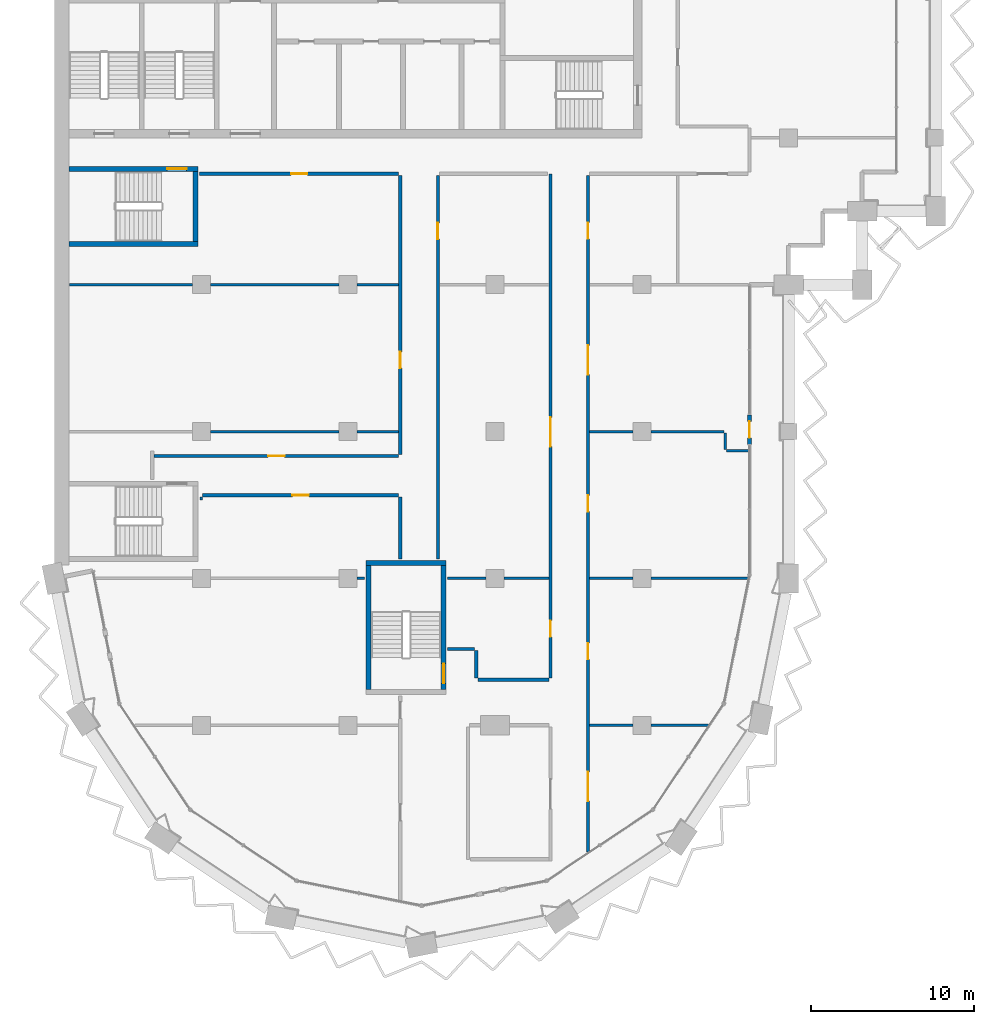
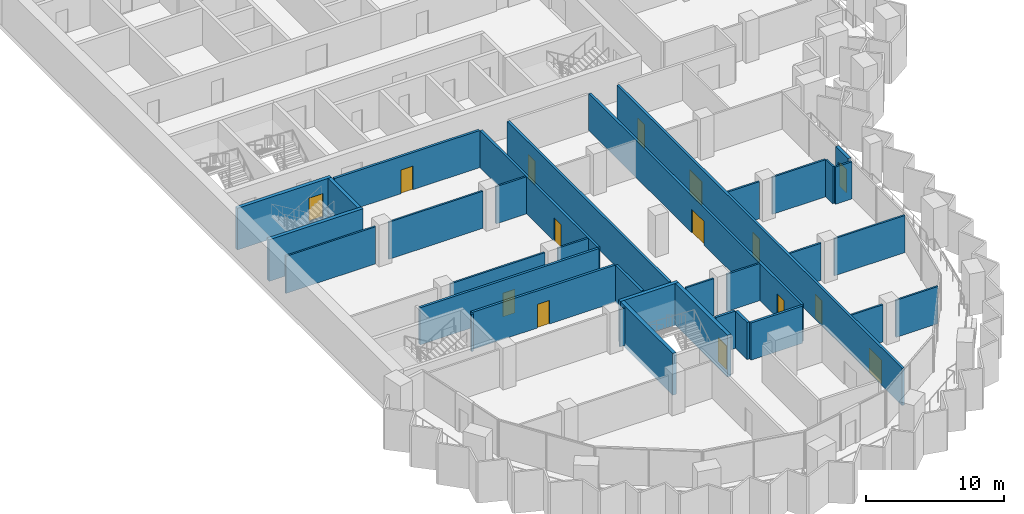
# One storey, part 8 of 17: 35 walls, 15 doors, 15 openings.
"""IFC4 building model written with IfcOpenShell, lengths in metres."""

from ifc_helpers import new_model, si_unit, direction, frame, frame_2d, origin, place, context, subcontext, project, spatial, rectangle, extrude, material, layer, layer_set, type_object, element, fill, save


model = new_model("IFC4")

# Units and contexts
model_context = context("Model", 3, precision=1e-05, world=origin(), true_north=direction((0.0, 1.0)))
body_context = subcontext(model_context, "Body", "Model", "MODEL_VIEW")
ifc_project = project(units=[si_unit("LENGTHUNIT", "METRE"), si_unit("AREAUNIT", "SQUARE_METRE"), si_unit("VOLUMEUNIT", "CUBIC_METRE"), si_unit("PLANEANGLEUNIT", "RADIAN"), si_unit("MASSUNIT", "GRAM", prefix="KILO")], contexts=[model_context])

# Site, building, storey
site_placement = place(None, origin())
site = spatial("IfcSite", under=ifc_project, at=site_placement, CompositionType="ELEMENT")
building_placement = place(site_placement, origin())
building = spatial("IfcBuilding", under=site, at=building_placement, Name="Hunhe Ridgeline Campus", CompositionType="ELEMENT")
storey_placement = place(building_placement, frame((0.0, 0.0, 208.699951171875)))
storey = spatial("IfcBuildingStorey", under=building, at=storey_placement, Name="L53", CompositionType="ELEMENT", Elevation=208.699951171875)

# Walls
ifc_material_1 = material(Name="Gypsum board partition")
ifc_layer_1 = layer(ifc_material_1, 0.199951171875)
ifc_layer_set_1 = layer_set([ifc_layer_1], Name="Corridor partition 200 gypsum board on steel studs")
wall_type_1 = type_object("IfcWallType", Name="Corridor partition 200 gypsum board on steel studs", PredefinedType="PARTITIONING", material=ifc_layer_set_1)
wall_1_placement = place(storey_placement, frame((25.949951171875, 29.799072265625, 0.0), z_axis=(0.0, 0.0, 1.0), x_axis=(1.0, 0.0, 0.0)))
element("IfcWall", 1, at=wall_1_placement, inside=storey, type_object=wall_type_1, Name="F-L53-wall-009", PredefinedType="PARTITIONING", context=body_context, shape_type="SweptSolid", body=[
    extrude(rectangle(XDim=4.35009765625, YDim=0.199951171875, at=frame_2d((2.175048828125, 0.0))), origin(), (0.0, 0.0, 1.0), 3.300048828125),
])
wall_2_placement = place(storey_placement, frame((24.10400390625, 31.675048828125, 0.0), z_axis=(0.0, 0.0, 1.0), x_axis=(1.0, 0.0, 0.0)))
element("IfcWall", 2, at=wall_2_placement, inside=storey, type_object=wall_type_1, Name="F-L53-wall-010", PredefinedType="PARTITIONING", context=body_context, shape_type="SweptSolid", body=[
    extrude(rectangle(XDim=1.64599609375, YDim=0.199951171875, at=frame_2d((0.822998046875, 0.0))), origin(), (0.0, 0.0, 1.0), 3.300048828125),
])

# Wall, opening, door
wall_3_placement = place(storey_placement, frame((21.10009765625, 41.10009765625, 0.0), z_axis=(0.0, 0.0, 1.0), x_axis=(-1.0, 0.0, 0.0)))
wall_3 = element("IfcWall", 3, at=wall_3_placement, inside=storey, type_object=wall_type_1, Name="F-L53-wall-018", PredefinedType="PARTITIONING", context=body_context, shape_type="SweptSolid", body=[
    extrude(rectangle(XDim=12.025146484375, YDim=0.199951171875, at=frame_2d((6.0126953125, 0.0))), origin(), (0.0, 0.0, 1.0), 3.300048828125),
])
opening_1_placement = place(wall_3_placement, frame((5.512451171875, 0.0, 0.0)))
opening_1 = element("IfcOpeningElement", 4, at=opening_1_placement, cuts=wall_3, Name="Opening RD1-008", PredefinedType="OPENING", context=body_context, shape_type="SweptSolid", body=[
    extrude(rectangle(XDim=1.0, YDim=2.10009765625, at=frame_2d((0.5, 1.050048828125))), frame((0.0, 0.10009765625, 0.0), z_axis=(0.0, -1.0, 0.0), x_axis=(1.0, 0.0, 0.0)), (0.0, 0.0, 1.0), 0.199951171875),
])
ifc_material_2 = material(Name="Timber door leaf", Category="wood")
door_type_1 = type_object("IfcDoorType", Name="Single fire door 1000x2100 timber FD60", OperationType="NOTDEFINED", PredefinedType="DOOR", material=ifc_material_2)
door_1_placement = place(opening_1_placement, origin())
door_1 = element("IfcDoor", 5, at=door_1_placement, inside=storey, type_object=door_type_1, Name="F-L53-door-008", OperationType="SINGLE_SWING_LEFT", OverallHeight=2.10009765625, OverallWidth=1.0, PredefinedType="DOOR", context=body_context, shape_type="SweptSolid", body=[
    extrude(rectangle(XDim=1.0, YDim=2.10009765625, at=frame_2d((0.5, 1.050048828125))), frame((0.0, 0.02490234375, 0.0), z_axis=(0.0, -1.0, 0.0), x_axis=(1.0, 0.0, 0.0)), (0.0, 0.0, 1.0), 0.050048828125),
])
fill(opening_1, door_1)

wall_4_placement = place(storey_placement, frame((6.10009765625, 43.5, 0.0), z_axis=(0.0, 0.0, 1.0), x_axis=(1.0, 0.0, 0.0)))
wall_4 = element("IfcWall", 6, at=wall_4_placement, inside=storey, type_object=wall_type_1, Name="F-L53-wall-019", PredefinedType="PARTITIONING", context=body_context, shape_type="SweptSolid", body=[
    extrude(rectangle(XDim=15.0, YDim=0.199951171875, at=frame_2d((7.5, 0.0))), origin(), (0.0, 0.0, 1.0), 3.300048828125),
])
opening_2_placement = place(wall_4_placement, frame((7.0, 0.0, 0.0)))
opening_2 = element("IfcOpeningElement", 7, at=opening_2_placement, cuts=wall_4, Name="Opening RD1-009", PredefinedType="OPENING", context=body_context, shape_type="SweptSolid", body=[
    extrude(rectangle(XDim=1.0, YDim=2.10009765625, at=frame_2d((0.5, 1.050048828125))), frame((0.0, 0.10009765625, 0.0), z_axis=(0.0, -1.0, 0.0), x_axis=(1.0, 0.0, 0.0)), (0.0, 0.0, 1.0), 0.199951171875),
])
door_2_placement = place(opening_2_placement, origin())
door_2 = element("IfcDoor", 8, at=door_2_placement, inside=storey, type_object=door_type_1, Name="F-L53-door-009", OperationType="SINGLE_SWING_RIGHT", OverallHeight=2.10009765625, OverallWidth=1.0, PredefinedType="DOOR", context=body_context, shape_type="SweptSolid", body=[
    extrude(rectangle(XDim=1.0, YDim=2.10009765625, at=frame_2d((0.5, 1.050048828125))), frame((0.0, 0.02490234375, 0.0), z_axis=(0.0, -1.0, 0.0), x_axis=(1.0, 0.0, 0.0)), (0.0, 0.0, 1.0), 0.050048828125),
])
fill(opening_2, door_2)

wall_5_placement = place(storey_placement, frame((21.10009765625, 60.800048828125, 0.0), z_axis=(0.0, 0.0, 1.0), x_axis=(-1.0, 0.0, 0.0)))
wall_5 = element("IfcWall", 9, at=wall_5_placement, inside=storey, type_object=wall_type_1, Name="F-L53-wall-033", PredefinedType="PARTITIONING", context=body_context, shape_type="SweptSolid", body=[
    extrude(rectangle(XDim=12.196044921875, YDim=0.199951171875, at=frame_2d((6.09814453125, 0.0))), origin(), (0.0, 0.0, 1.0), 3.300048828125),
])
opening_3_placement = place(wall_5_placement, frame((5.597900390625, 0.0, 0.0)))
opening_3 = element("IfcOpeningElement", 10, at=opening_3_placement, cuts=wall_5, Name="Opening RD1-015", PredefinedType="OPENING", context=body_context, shape_type="SweptSolid", body=[
    extrude(rectangle(XDim=1.0, YDim=2.10009765625, at=frame_2d((0.5, 1.050048828125))), frame((0.0, 0.10009765625, 0.0), z_axis=(0.0, -1.0, 0.0), x_axis=(1.0, 0.0, 0.0)), (0.0, 0.0, 1.0), 0.199951171875),
])
door_3_placement = place(opening_3_placement, origin())
door_3 = element("IfcDoor", 11, at=door_3_placement, inside=storey, type_object=door_type_1, Name="F-L53-door-015", OperationType="SINGLE_SWING_LEFT", OverallHeight=2.10009765625, OverallWidth=1.0, PredefinedType="DOOR", context=body_context, shape_type="SweptSolid", body=[
    extrude(rectangle(XDim=1.0, YDim=2.10009765625, at=frame_2d((0.5, 1.050048828125))), frame((0.0, 0.02490234375, 0.0), z_axis=(0.0, -1.0, 0.0), x_axis=(1.0, 0.0, 0.0)), (0.0, 0.0, 1.0), 0.050048828125),
])
fill(opening_3, door_3)

# Wall
wall_6_placement = place(storey_placement, frame((21.199951171875, 37.2041015625, 0.0), z_axis=(0.0, 0.0, 1.0), x_axis=(0.0, 1.0, 0.0)))
element("IfcWall", 12, at=wall_6_placement, inside=storey, type_object=wall_type_1, Name="F-L53-wall-048", PredefinedType="PARTITIONING", context=body_context, shape_type="SweptSolid", body=[
    extrude(rectangle(XDim=3.7958984375, YDim=0.199951171875, at=frame_2d((1.89794921875, 0.0))), origin(), (0.0, 0.0, 1.0), 3.300048828125),
])

# Wall, opening, door
wall_7_placement = place(storey_placement, frame((21.199951171875, 43.60009765625, 0.0), z_axis=(0.0, 0.0, 1.0), x_axis=(0.0, 1.0, 0.0)))
wall_7 = element("IfcWall", 13, at=wall_7_placement, inside=storey, type_object=wall_type_1, Name="F-L53-wall-049", PredefinedType="PARTITIONING", context=body_context, shape_type="SweptSolid", body=[
    extrude(rectangle(XDim=17.099853515625, YDim=0.199951171875, at=frame_2d((8.5498046875, 0.0))), origin(), (0.0, 0.0, 1.0), 3.300048828125),
])
opening_4_placement = place(wall_7_placement, frame((5.28369140625, 0.0, 0.0)))
opening_4 = element("IfcOpeningElement", 14, at=opening_4_placement, cuts=wall_7, Name="Opening RD1-011", PredefinedType="OPENING", context=body_context, shape_type="SweptSolid", body=[
    extrude(rectangle(XDim=1.0, YDim=2.10009765625, at=frame_2d((0.5, 1.050048828125))), frame((0.0, 0.10009765625, 0.0), z_axis=(0.0, -1.0, 0.0), x_axis=(1.0, 0.0, 0.0)), (0.0, 0.0, 1.0), 0.199951171875),
])
door_4_placement = place(opening_4_placement, origin())
door_4 = element("IfcDoor", 15, at=door_4_placement, inside=storey, type_object=door_type_1, Name="F-L53-door-011", OperationType="SINGLE_SWING_RIGHT", OverallHeight=2.10009765625, OverallWidth=1.0, PredefinedType="DOOR", context=body_context, shape_type="SweptSolid", body=[
    extrude(rectangle(XDim=1.0, YDim=2.10009765625, at=frame_2d((0.5, 1.050048828125))), frame((0.0, 0.02490234375, 0.0), z_axis=(0.0, -1.0, 0.0), x_axis=(1.0, 0.0, 0.0)), (0.0, 0.0, 1.0), 0.050048828125),
])
fill(opening_4, door_4)

wall_8_placement = place(storey_placement, frame((23.5, 60.699951171875, 0.0), z_axis=(0.0, 0.0, 1.0), x_axis=(0.0, -1.0, 0.0)))
wall_8 = element("IfcWall", 16, at=wall_8_placement, inside=storey, type_object=wall_type_1, Name="F-L53-wall-050", PredefinedType="PARTITIONING", context=body_context, shape_type="SweptSolid", body=[
    extrude(rectangle(XDim=23.495849609375, YDim=0.199951171875, at=frame_2d((11.748046875, 0.0))), origin(), (0.0, 0.0, 1.0), 3.300048828125),
])
opening_5_placement = place(wall_8_placement, frame((2.91064453125, 0.0, 0.0)))
opening_5 = element("IfcOpeningElement", 17, at=opening_5_placement, cuts=wall_8, Name="Opening RD1-013", PredefinedType="OPENING", context=body_context, shape_type="SweptSolid", body=[
    extrude(rectangle(XDim=1.0, YDim=2.10009765625, at=frame_2d((0.5, 1.050048828125))), frame((0.0, 0.10009765625, 0.0), z_axis=(0.0, -1.0, 0.0), x_axis=(1.0, 0.0, 0.0)), (0.0, 0.0, 1.0), 0.199951171875),
])
door_5_placement = place(opening_5_placement, origin())
door_5 = element("IfcDoor", 18, at=door_5_placement, inside=storey, type_object=door_type_1, Name="F-L53-door-013", OperationType="SINGLE_SWING_LEFT", OverallHeight=2.10009765625, OverallWidth=1.0, PredefinedType="DOOR", context=body_context, shape_type="SweptSolid", body=[
    extrude(rectangle(XDim=1.0, YDim=2.10009765625, at=frame_2d((0.5, 1.050048828125))), frame((0.0, 0.02490234375, 0.0), z_axis=(0.0, -1.0, 0.0), x_axis=(1.0, 0.0, 0.0)), (0.0, 0.0, 1.0), 0.050048828125),
])
fill(opening_5, door_5)

# Wall
wall_9_placement = place(storey_placement, frame((25.85009765625, 31.574951171875, 0.0), z_axis=(0.0, 0.0, 1.0), x_axis=(0.0, -1.0, 0.0)))
element("IfcWall", 19, at=wall_9_placement, inside=storey, type_object=wall_type_1, Name="F-L53-wall-052", PredefinedType="PARTITIONING", context=body_context, shape_type="SweptSolid", body=[
    extrude(rectangle(XDim=1.676025390625, YDim=0.199951171875, at=frame_2d((0.837890625, 0.0))), origin(), (0.0, 0.0, 1.0), 3.300048828125),
])

# Wall, openings, doors
wall_10_placement = place(storey_placement, frame((30.39990234375, 29.89892578125, 0.0), z_axis=(0.0, 0.0, 1.0), x_axis=(0.0, 1.0, 0.0)))
wall_10 = element("IfcWall", 20, at=wall_10_placement, inside=storey, type_object=wall_type_1, Name="F-L53-wall-054", PredefinedType="PARTITIONING", context=body_context, shape_type="SweptSolid", body=[
    extrude(rectangle(XDim=30.901123046875, YDim=0.199951171875, at=frame_2d((15.45068359375, 0.0))), origin(), (0.0, 0.0, 1.0), 3.300048828125),
])
opening_6_placement = place(wall_10_placement, frame((2.5146484375, 0.0, 0.0)))
opening_6 = element("IfcOpeningElement", 21, at=opening_6_placement, cuts=wall_10, Name="Opening RD1-006", PredefinedType="OPENING", context=body_context, shape_type="SweptSolid", body=[
    extrude(rectangle(XDim=1.0, YDim=2.10009765625, at=frame_2d((0.5, 1.050048828125))), frame((0.0, 0.10009765625, 0.0), z_axis=(0.0, -1.0, 0.0), x_axis=(1.0, 0.0, 0.0)), (0.0, 0.0, 1.0), 0.199951171875),
])
opening_7_placement = place(wall_10_placement, frame((14.173583984375, 0.0, 0.0)))
opening_7 = element("IfcOpeningElement", 22, at=opening_7_placement, cuts=wall_10, Name="Opening RD2-010", PredefinedType="OPENING", context=body_context, shape_type="SweptSolid", body=[
    extrude(rectangle(XDim=1.800048828125, YDim=2.10009765625, at=frame_2d((0.89990234375, 1.050048828125))), frame((0.0, 0.10009765625, 0.0), z_axis=(0.0, -1.0, 0.0), x_axis=(1.0, 0.0, 0.0)), (0.0, 0.0, 1.0), 0.199951171875),
])
door_type_2 = type_object("IfcDoorType", Name="Double fire door 1800x2100 timber FD60", OperationType="DOUBLE_DOOR_SINGLE_SWING", PredefinedType="DOOR", material=ifc_material_2)
door_6_placement = place(opening_7_placement, origin())
door_6 = element("IfcDoor", 23, at=door_6_placement, inside=storey, type_object=door_type_2, Name="F-L53-door-010", OperationType="DOUBLE_DOOR_SINGLE_SWING", OverallHeight=2.10009765625, OverallWidth=1.800048828125, PredefinedType="DOOR", context=body_context, shape_type="SweptSolid", body=[
    extrude(rectangle(XDim=1.800048828125, YDim=2.10009765625, at=frame_2d((0.89990234375, 1.050048828125))), frame((0.0, 0.02490234375, 0.0), z_axis=(0.0, -1.0, 0.0), x_axis=(1.0, 0.0, 0.0)), (0.0, 0.0, 1.0), 0.050048828125),
])
fill(opening_7, door_6)
door_7_placement = place(opening_6_placement, origin())
door_7 = element("IfcDoor", 24, at=door_7_placement, inside=storey, type_object=door_type_1, Name="F-L53-door-006", OperationType="SINGLE_SWING_RIGHT", OverallHeight=2.10009765625, OverallWidth=1.0, PredefinedType="DOOR", context=body_context, shape_type="SweptSolid", body=[
    extrude(rectangle(XDim=1.0, YDim=2.10009765625, at=frame_2d((0.5, 1.050048828125))), frame((0.0, 0.02490234375, 0.0), z_axis=(0.0, -1.0, 0.0), x_axis=(1.0, 0.0, 0.0)), (0.0, 0.0, 1.0), 0.050048828125),
])
fill(opening_6, door_7)

wall_11_placement = place(storey_placement, frame((32.699951171875, 60.699951171875, 0.0), z_axis=(0.0, 0.0, 1.0), x_axis=(0.0, -1.0, 0.0)))
wall_11 = element("IfcWall", 25, at=wall_11_placement, inside=storey, type_object=wall_type_1, Name="F-L53-wall-055", PredefinedType="PARTITIONING", context=body_context, shape_type="SweptSolid", body=[
    extrude(rectangle(XDim=41.472412109375, YDim=0.199951171875, at=frame_2d((20.736328125, 0.0))), origin(), (0.0, 0.0, 1.0), 3.300048828125),
])
opening_8_placement = place(wall_11_placement, frame((36.551025390625, 0.0, 0.0)))
opening_8 = element("IfcOpeningElement", 26, at=opening_8_placement, cuts=wall_11, Name="Opening RD2-003", PredefinedType="OPENING", context=body_context, shape_type="SweptSolid", body=[
    extrude(rectangle(XDim=1.800048828125, YDim=2.10009765625, at=frame_2d((0.89990234375, 1.050048828125))), frame((0.0, 0.10009765625, 0.0), z_axis=(0.0, -1.0, 0.0), x_axis=(1.0, 0.0, 0.0)), (0.0, 0.0, 1.0), 0.199951171875),
])
opening_9_placement = place(wall_11_placement, frame((28.656494140625, 0.0, 0.0)))
opening_9 = element("IfcOpeningElement", 27, at=opening_9_placement, cuts=wall_11, Name="Opening RD1-005", PredefinedType="OPENING", context=body_context, shape_type="SweptSolid", body=[
    extrude(rectangle(XDim=1.0, YDim=2.10009765625, at=frame_2d((0.5, 1.050048828125))), frame((0.0, 0.10009765625, 0.0), z_axis=(0.0, -1.0, 0.0), x_axis=(1.0, 0.0, 0.0)), (0.0, 0.0, 1.0), 0.199951171875),
])
opening_10_placement = place(wall_11_placement, frame((19.60791015625, 0.0, 0.0)))
opening_10 = element("IfcOpeningElement", 28, at=opening_10_placement, cuts=wall_11, Name="Opening RD1-007", PredefinedType="OPENING", context=body_context, shape_type="SweptSolid", body=[
    extrude(rectangle(XDim=1.0, YDim=2.10009765625, at=frame_2d((0.5, 1.050048828125))), frame((0.0, 0.10009765625, 0.0), z_axis=(0.0, -1.0, 0.0), x_axis=(1.0, 0.0, 0.0)), (0.0, 0.0, 1.0), 0.199951171875),
])
opening_11_placement = place(wall_11_placement, frame((10.41064453125, 0.0, 0.0)))
opening_11 = element("IfcOpeningElement", 29, at=opening_11_placement, cuts=wall_11, Name="Opening RD2-012", PredefinedType="OPENING", context=body_context, shape_type="SweptSolid", body=[
    extrude(rectangle(XDim=1.800048828125, YDim=2.10009765625, at=frame_2d((0.89990234375, 1.050048828125))), frame((0.0, 0.10009765625, 0.0), z_axis=(0.0, -1.0, 0.0), x_axis=(1.0, 0.0, 0.0)), (0.0, 0.0, 1.0), 0.199951171875),
])
opening_12_placement = place(wall_11_placement, frame((2.893310546875, 0.0, 0.0)))
opening_12 = element("IfcOpeningElement", 30, at=opening_12_placement, cuts=wall_11, Name="Opening RD1-014", PredefinedType="OPENING", context=body_context, shape_type="SweptSolid", body=[
    extrude(rectangle(XDim=1.0, YDim=2.10009765625, at=frame_2d((0.5, 1.050048828125))), frame((0.0, 0.10009765625, 0.0), z_axis=(0.0, -1.0, 0.0), x_axis=(1.0, 0.0, 0.0)), (0.0, 0.0, 1.0), 0.199951171875),
])
door_8_placement = place(opening_8_placement, origin())
door_8 = element("IfcDoor", 31, at=door_8_placement, inside=storey, type_object=door_type_2, Name="F-L53-door-003", OperationType="DOUBLE_DOOR_SINGLE_SWING", OverallHeight=2.10009765625, OverallWidth=1.800048828125, PredefinedType="DOOR", context=body_context, shape_type="SweptSolid", body=[
    extrude(rectangle(XDim=1.800048828125, YDim=2.10009765625, at=frame_2d((0.89990234375, 1.050048828125))), frame((0.0, 0.02490234375, 0.0), z_axis=(0.0, -1.0, 0.0), x_axis=(1.0, 0.0, 0.0)), (0.0, 0.0, 1.0), 0.050048828125),
])
fill(opening_8, door_8)
door_9_placement = place(opening_11_placement, origin())
door_9 = element("IfcDoor", 32, at=door_9_placement, inside=storey, type_object=door_type_2, Name="F-L53-door-012", OperationType="DOUBLE_DOOR_SINGLE_SWING", OverallHeight=2.10009765625, OverallWidth=1.800048828125, PredefinedType="DOOR", context=body_context, shape_type="SweptSolid", body=[
    extrude(rectangle(XDim=1.800048828125, YDim=2.10009765625, at=frame_2d((0.89990234375, 1.050048828125))), frame((0.0, 0.02490234375, 0.0), z_axis=(0.0, -1.0, 0.0), x_axis=(1.0, 0.0, 0.0)), (0.0, 0.0, 1.0), 0.050048828125),
])
fill(opening_11, door_9)
door_10_placement = place(opening_9_placement, origin())
door_10 = element("IfcDoor", 33, at=door_10_placement, inside=storey, type_object=door_type_1, Name="F-L53-door-005", OperationType="SINGLE_SWING_LEFT", OverallHeight=2.10009765625, OverallWidth=1.0, PredefinedType="DOOR", context=body_context, shape_type="SweptSolid", body=[
    extrude(rectangle(XDim=1.0, YDim=2.10009765625, at=frame_2d((0.5, 1.050048828125))), frame((0.0, 0.02490234375, 0.0), z_axis=(0.0, -1.0, 0.0), x_axis=(1.0, 0.0, 0.0)), (0.0, 0.0, 1.0), 0.050048828125),
])
fill(opening_9, door_10)
door_11_placement = place(opening_10_placement, origin())
door_11 = element("IfcDoor", 34, at=door_11_placement, inside=storey, type_object=door_type_1, Name="F-L53-door-007", OperationType="SINGLE_SWING_LEFT", OverallHeight=2.10009765625, OverallWidth=1.0, PredefinedType="DOOR", context=body_context, shape_type="SweptSolid", body=[
    extrude(rectangle(XDim=1.0, YDim=2.10009765625, at=frame_2d((0.5, 1.050048828125))), frame((0.0, 0.02490234375, 0.0), z_axis=(0.0, -1.0, 0.0), x_axis=(1.0, 0.0, 0.0)), (0.0, 0.0, 1.0), 0.050048828125),
])
fill(opening_10, door_11)
door_12_placement = place(opening_12_placement, origin())
door_12 = element("IfcDoor", 35, at=door_12_placement, inside=storey, type_object=door_type_1, Name="F-L53-door-014", OperationType="SINGLE_SWING_RIGHT", OverallHeight=2.10009765625, OverallWidth=1.0, PredefinedType="DOOR", context=body_context, shape_type="SweptSolid", body=[
    extrude(rectangle(XDim=1.0, YDim=2.10009765625, at=frame_2d((0.5, 1.050048828125))), frame((0.0, 0.02490234375, 0.0), z_axis=(0.0, -1.0, 0.0), x_axis=(1.0, 0.0, 0.0)), (0.0, 0.0, 1.0), 0.050048828125),
])
fill(opening_12, door_12)

# Wall, opening, door
ifc_material_3 = material(Name="Concrete C30", Category="concrete")
ifc_layer_2 = layer(ifc_material_3, 0.25)
ifc_layer_set_2 = layer_set([ifc_layer_2], Name="Loggia door pier wall 250 Concrete C30")
wall_type_2 = type_object("IfcWallType", Name="Loggia door pier wall 250 Concrete C30", PredefinedType="SOLIDWALL", material=ifc_layer_set_2)
wall_12_placement = place(storey_placement, frame((42.59912109375, 44.218505859375, 0.0), z_axis=(0.0, 0.0, 1.0), x_axis=(0.0, 1.0, 0.0)))
wall_12 = element("IfcWall", 36, at=wall_12_placement, inside=storey, type_object=wall_type_2, Name="Loggia door pier 3", PredefinedType="SOLIDWALL", context=body_context, shape_type="SweptSolid", body=[
    extrude(rectangle(XDim=1.800048828125, YDim=0.25, at=frame_2d((0.89990234375, 0.0))), origin(), (0.0, 0.0, 1.0), 3.300048828125),
])
opening_13_placement = place(wall_12_placement, frame((0.39990234375, 0.0, 0.0)))
opening_13 = element("IfcOpeningElement", 37, at=opening_13_placement, cuts=wall_12, Name="Opening BD405", PredefinedType="OPENING", context=body_context, shape_type="SweptSolid", body=[
    extrude(rectangle(XDim=1.0, YDim=2.10009765625, at=frame_2d((0.5, 1.050048828125))), frame((0.0, 0.125, 0.0), z_axis=(0.0, -1.0, 0.0), x_axis=(1.0, 0.0, 0.0)), (0.0, 0.0, 1.0), 0.25),
])
ifc_material_4 = material(Name="Aluminium 6063", Category="aluminium")
door_type_3 = type_object("IfcDoorType", Name="Loggia glazed door 1000x2100", OperationType="NOTDEFINED", PredefinedType="DOOR", material=ifc_material_4)
door_13_placement = place(opening_13_placement, frame((1.0, 0.0, 0.0), z_axis=(0.0, 0.0, 1.0), x_axis=(-1.0, 0.0, 0.0)))
door_13 = element("IfcDoor", 38, at=door_13_placement, inside=storey, type_object=door_type_3, Name="Loggia door BD405", OperationType="SINGLE_SWING_RIGHT", OverallHeight=2.10009765625, OverallWidth=1.0, PredefinedType="DOOR", context=body_context, shape_type="SweptSolid", body=[
    extrude(rectangle(XDim=1.0, YDim=2.10009765625, at=frame_2d((0.5, 1.050048828125))), frame((0.0, 0.02490234375, 0.0), z_axis=(0.0, -1.0, 0.0), x_axis=(1.0, 0.0, 0.0)), (0.0, 0.0, 1.0), 0.050048828125),
])
fill(opening_13, door_13)

# Walls
ifc_layer_3 = layer(ifc_material_1, 0.14990234375)
ifc_layer_set_3 = layer_set([ifc_layer_3], Name="Room partition 150 gypsum board on steel studs")
wall_type_3 = type_object("IfcWallType", Name="Room partition 150 gypsum board on steel studs", PredefinedType="PARTITIONING", material=ifc_layer_set_3)
wall_13_placement = place(storey_placement, frame((32.800048828125, 27.0, 0.0), z_axis=(0.0, 0.0, 1.0), x_axis=(1.0, 0.0, 0.0)))
element("IfcWall", 39, at=wall_13_placement, inside=storey, type_object=wall_type_3, Name="F-L53-wall-007", PredefinedType="PARTITIONING", context=body_context, shape_type="SweptSolid", body=[
    extrude(rectangle(XDim=2.64990234375, YDim=0.14990234375, at=frame_2d((1.324951171875, 0.0))), origin(), (0.0, 0.0, 1.0), 3.300048828125),
])
wall_14_placement = place(storey_placement, frame((36.550048828125, 27.0, 0.0), z_axis=(0.0, 0.0, 1.0), x_axis=(1.0, 0.0, 0.0)))
element("IfcWall", 40, at=wall_14_placement, inside=storey, type_object=wall_type_3, Name="F-L53-wall-008", PredefinedType="PARTITIONING", context=body_context, shape_type="SweptSolid", body=[
    extrude(rectangle(XDim=3.5244140625, YDim=0.14990234375, at=frame_2d((1.76220703125, 0.0))), origin(), (0.0, 0.0, 1.0), 3.300048828125),
])
wall_15_placement = place(storey_placement, frame((18.550048828125, 36.0, 0.0), z_axis=(0.0, 0.0, 1.0), x_axis=(1.0, 0.0, 0.0)))
element("IfcWall", 41, at=wall_15_placement, inside=storey, type_object=wall_type_3, Name="F-L53-wall-013", PredefinedType="PARTITIONING", context=body_context, shape_type="SweptSolid", body=[
    extrude(rectangle(XDim=0.446044921875, YDim=0.14990234375, at=frame_2d((0.22314453125, 0.0))), origin(), (0.0, 0.0, 1.0), 3.300048828125),
])
wall_16_placement = place(storey_placement, frame((24.10400390625, 36.0, 0.0), z_axis=(0.0, 0.0, 1.0), x_axis=(1.0, 0.0, 0.0)))
element("IfcWall", 42, at=wall_16_placement, inside=storey, type_object=wall_type_3, Name="F-L53-wall-014", PredefinedType="PARTITIONING", context=body_context, shape_type="SweptSolid", body=[
    extrude(rectangle(XDim=2.345947265625, YDim=0.14990234375, at=frame_2d((1.1728515625, 0.0))), origin(), (0.0, 0.0, 1.0), 3.300048828125),
])
wall_17_placement = place(storey_placement, frame((27.550048828125, 36.0, 0.0), z_axis=(0.0, 0.0, 1.0), x_axis=(1.0, 0.0, 0.0)))
element("IfcWall", 43, at=wall_17_placement, inside=storey, type_object=wall_type_3, Name="F-L53-wall-015", PredefinedType="PARTITIONING", context=body_context, shape_type="SweptSolid", body=[
    extrude(rectangle(XDim=2.75, YDim=0.14990234375, at=frame_2d((1.375, 0.0))), origin(), (0.0, 0.0, 1.0), 3.300048828125),
])
wall_18_placement = place(storey_placement, frame((32.800048828125, 36.0, 0.0), z_axis=(0.0, 0.0, 1.0), x_axis=(1.0, 0.0, 0.0)))
element("IfcWall", 44, at=wall_18_placement, inside=storey, type_object=wall_type_3, Name="F-L53-wall-016", PredefinedType="PARTITIONING", context=body_context, shape_type="SweptSolid", body=[
    extrude(rectangle(XDim=2.64990234375, YDim=0.14990234375, at=frame_2d((1.324951171875, 0.0))), origin(), (0.0, 0.0, 1.0), 3.300048828125),
])
wall_19_placement = place(storey_placement, frame((36.550048828125, 36.0, 0.0), z_axis=(0.0, 0.0, 1.0), x_axis=(1.0, 0.0, 0.0)))
element("IfcWall", 45, at=wall_19_placement, inside=storey, type_object=wall_type_3, Name="F-L53-wall-017", PredefinedType="PARTITIONING", context=body_context, shape_type="SweptSolid", body=[
    extrude(rectangle(XDim=5.94677734375, YDim=0.14990234375, at=frame_2d((2.973388671875, 0.0))), origin(), (0.0, 0.0, 1.0), 3.300048828125),
])
wall_20_placement = place(storey_placement, frame((41.174072265625, 43.819091796875, 0.0), z_axis=(0.0, 0.0, 1.0), x_axis=(1.0, 0.0, 0.0)))
element("IfcWall", 46, at=wall_20_placement, inside=storey, type_object=wall_type_3, Name="F-L53-wall-020", PredefinedType="PARTITIONING", context=body_context, shape_type="SweptSolid", body=[
    extrude(rectangle(XDim=1.37109375, YDim=0.14990234375, at=frame_2d((0.685546875, 0.0))), origin(), (0.0, 0.0, 1.0), 3.300048828125),
])
wall_21_placement = place(storey_placement, frame((9.550048828125, 45.0, 0.0), z_axis=(0.0, 0.0, 1.0), x_axis=(1.0, 0.0, 0.0)))
element("IfcWall", 47, at=wall_21_placement, inside=storey, type_object=wall_type_3, Name="F-L53-wall-022", PredefinedType="PARTITIONING", context=body_context, shape_type="SweptSolid", body=[
    extrude(rectangle(XDim=7.89990234375, YDim=0.14990234375, at=frame_2d((3.949951171875, 0.0))), origin(), (0.0, 0.0, 1.0), 3.300048828125),
])
wall_22_placement = place(storey_placement, frame((18.550048828125, 45.0, 0.0), z_axis=(0.0, 0.0, 1.0), x_axis=(1.0, 0.0, 0.0)))
element("IfcWall", 48, at=wall_22_placement, inside=storey, type_object=wall_type_3, Name="F-L53-wall-023", PredefinedType="PARTITIONING", context=body_context, shape_type="SweptSolid", body=[
    extrude(rectangle(XDim=2.550048828125, YDim=0.14990234375, at=frame_2d((1.27490234375, 0.0))), origin(), (0.0, 0.0, 1.0), 3.300048828125),
])
wall_23_placement = place(storey_placement, frame((32.800048828125, 45.0, 0.0), z_axis=(0.0, 0.0, 1.0), x_axis=(1.0, 0.0, 0.0)))
element("IfcWall", 49, at=wall_23_placement, inside=storey, type_object=wall_type_3, Name="F-L53-wall-024", PredefinedType="PARTITIONING", context=body_context, shape_type="SweptSolid", body=[
    extrude(rectangle(XDim=2.64990234375, YDim=0.14990234375, at=frame_2d((1.324951171875, 0.0))), origin(), (0.0, 0.0, 1.0), 3.300048828125),
])
wall_24_placement = place(storey_placement, frame((36.550048828125, 45.0, 0.0), z_axis=(0.0, 0.0, 1.0), x_axis=(1.0, 0.0, 0.0)))
element("IfcWall", 50, at=wall_24_placement, inside=storey, type_object=wall_type_3, Name="F-L53-wall-025", PredefinedType="PARTITIONING", context=body_context, shape_type="SweptSolid", body=[
    extrude(rectangle(XDim=4.473876953125, YDim=0.14990234375, at=frame_2d((2.23681640625, 0.0))), origin(), (0.0, 0.0, 1.0), 3.300048828125),
])
wall_25_placement = place(storey_placement, frame((0.919921875, 54.0, 0.0), z_axis=(0.0, 0.0, 1.0), x_axis=(1.0, 0.0, 0.0)))
element("IfcWall", 51, at=wall_25_placement, inside=storey, type_object=wall_type_3, Name="F-L53-wall-026", PredefinedType="PARTITIONING", context=body_context, shape_type="SweptSolid", body=[
    extrude(rectangle(XDim=7.530029296875, YDim=0.14990234375, at=frame_2d((3.76513671875, 0.0))), origin(), (0.0, 0.0, 1.0), 3.300048828125),
])
wall_26_placement = place(storey_placement, frame((9.550048828125, 54.0, 0.0), z_axis=(0.0, 0.0, 1.0), x_axis=(1.0, 0.0, 0.0)))
element("IfcWall", 52, at=wall_26_placement, inside=storey, type_object=wall_type_3, Name="F-L53-wall-027", PredefinedType="PARTITIONING", context=body_context, shape_type="SweptSolid", body=[
    extrude(rectangle(XDim=7.89990234375, YDim=0.14990234375, at=frame_2d((3.949951171875, 0.0))), origin(), (0.0, 0.0, 1.0), 3.300048828125),
])
wall_27_placement = place(storey_placement, frame((18.550048828125, 54.0, 0.0), z_axis=(0.0, 0.0, 1.0), x_axis=(1.0, 0.0, 0.0)))
element("IfcWall", 53, at=wall_27_placement, inside=storey, type_object=wall_type_3, Name="F-L53-wall-028", PredefinedType="PARTITIONING", context=body_context, shape_type="SweptSolid", body=[
    extrude(rectangle(XDim=2.550048828125, YDim=0.14990234375, at=frame_2d((1.27490234375, 0.0))), origin(), (0.0, 0.0, 1.0), 3.300048828125),
])
wall_28_placement = place(storey_placement, frame((9.0, 41.0, 0.0), z_axis=(0.0, 0.0, 1.0), x_axis=(0.0, -1.0, 0.0)))
element("IfcWall", 54, at=wall_28_placement, inside=storey, type_object=wall_type_3, Name="F-L53-wall-046", PredefinedType="PARTITIONING", context=body_context, shape_type="SweptSolid", body=[
    extrude(rectangle(XDim=0.199951171875, YDim=0.14990234375, at=frame_2d((0.10009765625, 0.0))), origin(), (0.0, 0.0, 1.0), 3.300048828125),
])
wall_29_placement = place(storey_placement, frame((41.09912109375, 44.925048828125, 0.0), z_axis=(0.0, 0.0, 1.0), x_axis=(0.0, -1.0, 0.0)))
element("IfcWall", 55, at=wall_29_placement, inside=storey, type_object=wall_type_3, Name="F-L53-wall-058", PredefinedType="PARTITIONING", context=body_context, shape_type="SweptSolid", body=[
    extrude(rectangle(XDim=1.031005859375, YDim=0.14990234375, at=frame_2d((0.515625, 0.0))), origin(), (0.0, 0.0, 1.0), 3.300048828125),
])
ifc_material_5 = material(Name="Concrete C60", Category="concrete")
ifc_layer_4 = layer(ifc_material_5, 0.300048828125)
ifc_layer_set_4 = layer_set([ifc_layer_4], Name="Stair wall 300 reinforced concrete C60")
wall_type_4 = type_object("IfcWallType", Name="Stair wall 300 reinforced concrete C60", PredefinedType="SOLIDWALL", material=ifc_layer_set_4)
wall_30_placement = place(storey_placement, frame((19.10009765625, 36.949951171875, -0.39990234375), z_axis=(0.0, 0.0, 1.0), x_axis=(1.0, 0.0, 0.0)))
element("IfcWall", 56, at=wall_30_placement, inside=storey, type_object=wall_type_4, Name="L53 core wall 2", PredefinedType="SOLIDWALL", context=body_context, shape_type="SweptSolid", body=[
    extrude(rectangle(XDim=4.89990234375, YDim=0.300048828125, at=frame_2d((2.449951171875, 0.0))), origin(), (0.0, 0.0, 1.0), 3.699951171875),
])
wall_31_placement = place(storey_placement, frame((0.89990234375, 56.5, -0.39990234375), z_axis=(0.0, 0.0, 1.0), x_axis=(1.0, 0.0, 0.0)))
element("IfcWall", 57, at=wall_31_placement, inside=storey, type_object=wall_type_4, Name="L53 core wall 5", PredefinedType="SOLIDWALL", context=body_context, shape_type="SweptSolid", body=[
    extrude(rectangle(XDim=7.900146484375, YDim=0.300048828125, at=frame_2d((3.9501953125, 0.0))), origin(), (0.0, 0.0, 1.0), 3.699951171875),
])

# Wall, opening, door
wall_32_placement = place(storey_placement, frame((0.89990234375, 61.10009765625, -0.39990234375), z_axis=(0.0, 0.0, 1.0), x_axis=(1.0, 0.0, 0.0)))
wall_32 = element("IfcWall", 58, at=wall_32_placement, inside=storey, type_object=wall_type_4, Name="L53 core wall 6", PredefinedType="SOLIDWALL", context=body_context, shape_type="SweptSolid", body=[
    extrude(rectangle(XDim=7.900146484375, YDim=0.300048828125, at=frame_2d((3.9501953125, 0.0))), origin(), (0.0, 0.0, 1.0), 3.699951171875),
])
opening_14_placement = place(wall_32_placement, frame((6.0, 0.0, 0.39990234375)))
opening_14 = element("IfcOpeningElement", 59, at=opening_14_placement, cuts=wall_32, Name="Opening CD22", PredefinedType="OPENING", context=body_context, shape_type="SweptSolid", body=[
    extrude(rectangle(XDim=1.199951171875, YDim=2.10009765625, at=frame_2d((0.60009765625, 1.050048828125))), frame((0.0, 0.14990234375, 0.0), z_axis=(0.0, -1.0, 0.0), x_axis=(1.0, 0.0, 0.0)), (0.0, 0.0, 1.0), 0.300048828125),
])
ifc_material_6 = material(Name="Hollow metal fire door leaf")
door_type_4 = type_object("IfcDoorType", Name="Stair door 1200x2100 FD60", OperationType="SINGLE_SWING_LEFT", PredefinedType="DOOR", material=ifc_material_6)
door_14_placement = place(opening_14_placement, origin())
door_14 = element("IfcDoor", 60, at=door_14_placement, inside=storey, type_object=door_type_4, Name="L53 door W2", OperationType="SINGLE_SWING_RIGHT", OverallHeight=2.10009765625, OverallWidth=1.199951171875, PredefinedType="DOOR", context=body_context, shape_type="SweptSolid", body=[
    extrude(rectangle(XDim=1.199951171875, YDim=2.10009765625, at=frame_2d((0.60009765625, 1.050048828125))), frame((0.0, 0.02490234375, 0.0), z_axis=(0.0, -1.0, 0.0), x_axis=(1.0, 0.0, 0.0)), (0.0, 0.0, 1.0), 0.050048828125),
])
fill(opening_14, door_14)

# Walls
wall_33_placement = place(storey_placement, frame((8.64990234375, 56.64990234375, -0.39990234375), z_axis=(0.0, 0.0, 1.0), x_axis=(0.0, 1.0, 0.0)))
element("IfcWall", 61, at=wall_33_placement, inside=storey, type_object=wall_type_4, Name="L53 core wall 33", PredefinedType="SOLIDWALL", context=body_context, shape_type="SweptSolid", body=[
    extrude(rectangle(XDim=4.300048828125, YDim=0.300048828125, at=frame_2d((2.14990234375, 0.0))), origin(), (0.0, 0.0, 1.0), 3.699951171875),
])
wall_34_placement = place(storey_placement, frame((19.25, 29.199951171875, -0.39990234375), z_axis=(0.0, 0.0, 1.0), x_axis=(0.0, 1.0, 0.0)))
element("IfcWall", 62, at=wall_34_placement, inside=storey, type_object=wall_type_4, Name="L53 core wall 43", PredefinedType="SOLIDWALL", context=body_context, shape_type="SweptSolid", body=[
    extrude(rectangle(XDim=7.60009765625, YDim=0.300048828125, at=frame_2d((3.800048828125, 0.0))), origin(), (0.0, 0.0, 1.0), 3.699951171875),
])

# Wall, opening, door
wall_35_placement = place(storey_placement, frame((23.85009765625, 29.199951171875, -0.39990234375), z_axis=(0.0, 0.0, 1.0), x_axis=(0.0, 1.0, 0.0)))
wall_35 = element("IfcWall", 63, at=wall_35_placement, inside=storey, type_object=wall_type_4, Name="L53 core wall 48", PredefinedType="SOLIDWALL", context=body_context, shape_type="SweptSolid", body=[
    extrude(rectangle(XDim=7.60009765625, YDim=0.300048828125, at=frame_2d((3.800048828125, 0.0))), origin(), (0.0, 0.0, 1.0), 3.699951171875),
])
opening_15_placement = place(wall_35_placement, frame((0.375, 0.0, 0.39990234375)))
opening_15 = element("IfcOpeningElement", 64, at=opening_15_placement, cuts=wall_35, Name="Opening CD23", PredefinedType="OPENING", context=body_context, shape_type="SweptSolid", body=[
    extrude(rectangle(XDim=1.199951171875, YDim=2.10009765625, at=frame_2d((0.60009765625, 1.050048828125))), frame((0.0, 0.14990234375, 0.0), z_axis=(0.0, -1.0, 0.0), x_axis=(1.0, 0.0, 0.0)), (0.0, 0.0, 1.0), 0.300048828125),
])
door_15_placement = place(opening_15_placement, frame((1.199951171875, 0.0, 0.0), z_axis=(0.0, 0.0, 1.0), x_axis=(-1.0, 0.0, 0.0)))
door_15 = element("IfcDoor", 65, at=door_15_placement, inside=storey, type_object=door_type_4, Name="L53 door W3", OperationType="SINGLE_SWING_RIGHT", OverallHeight=2.10009765625, OverallWidth=1.199951171875, PredefinedType="DOOR", context=body_context, shape_type="SweptSolid", body=[
    extrude(rectangle(XDim=1.199951171875, YDim=2.10009765625, at=frame_2d((0.60009765625, 1.050048828125))), frame((0.0, 0.02490234375, 0.0), z_axis=(0.0, -1.0, 0.0), x_axis=(1.0, 0.0, 0.0)), (0.0, 0.0, 1.0), 0.050048828125),
])
fill(opening_15, door_15)

save(model, "model.ifc")
